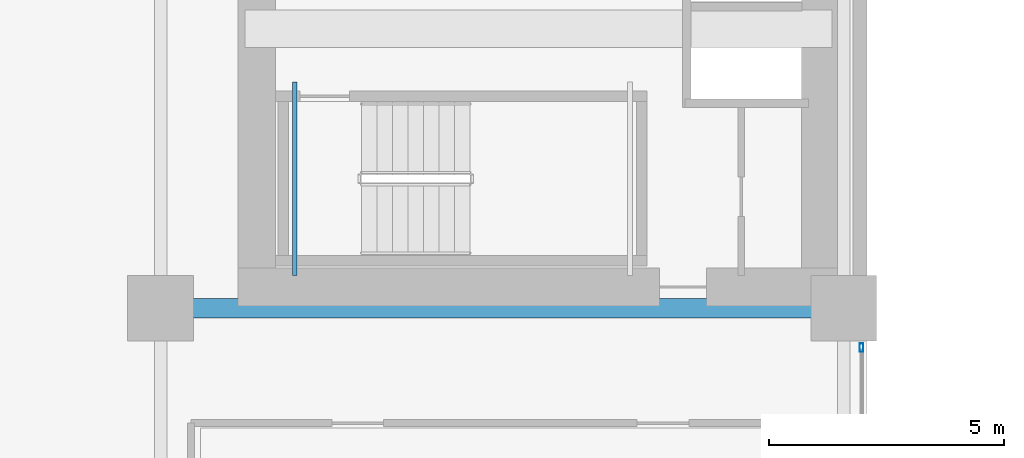
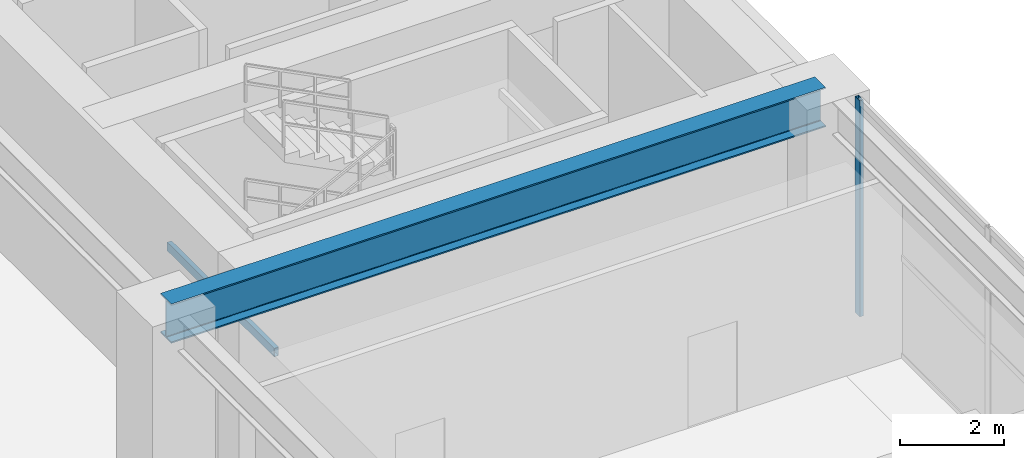
# One storey, part 6 of 29: 2 beams, 1 member, 1 element without a shape of its own.
"""IFC4 building model written with IfcOpenShell, lengths in metres."""

from ifc_helpers import new_model, si_unit, direction, frame, origin, origin_2d, place, context, subcontext, project, spatial, hollow_rectangle, i_section, extrude, source, transform, mapped, material, layer, layer_set, material_profile, profile_set, type_object, element, aggregate, save


model = new_model("IFC4")

# Units and contexts
model_context = context("Model", 3, precision=1e-05, world=origin(), true_north=direction((0.0, 1.0)))
body_context = subcontext(model_context, "Body", "Model", "MODEL_VIEW")
ifc_project = project(units=[si_unit("LENGTHUNIT", "METRE"), si_unit("AREAUNIT", "SQUARE_METRE"), si_unit("VOLUMEUNIT", "CUBIC_METRE"), si_unit("PLANEANGLEUNIT", "RADIAN"), si_unit("MASSUNIT", "GRAM", prefix="KILO")], contexts=[model_context])

# Site, building, storey
site_placement = place(None, origin())
site = spatial("IfcSite", under=ifc_project, at=site_placement, CompositionType="ELEMENT")
building_placement = place(site_placement, origin())
building = spatial("IfcBuilding", under=site, at=building_placement, Name="Ocotamira Hotel", CompositionType="ELEMENT")
storey_placement = place(building_placement, frame((0.0, 0.0, 6.0)))
storey = spatial("IfcBuildingStorey", under=building, at=storey_placement, Name="L02", CompositionType="ELEMENT", Elevation=6.0)

# Beams
ifc_material_1 = material(Name="Steel ASTM A500 Grade C", Category="steel")
ifc_material_profile_1 = material_profile(ifc_material_1, hollow_rectangle(XDim=0.10009765625, YDim=0.199951171875, WallThickness=0.008056640625, at=origin_2d()), Name="HSS200X100X8")
ifc_profile_set_1 = profile_set([ifc_material_profile_1], Name="Steel ASTM A500 Grade C")
beam_type_1 = type_object("IfcBeamType", Name="BM-STLDG-HSS200", PredefinedType="BEAM", material=ifc_profile_set_1)
shared_shape_1 = source(origin(), body_context, "Body", "SweptSolid", [
    extrude(hollow_rectangle(XDim=0.10009765625, YDim=0.199951171875, WallThickness=0.008056640625, at=origin_2d()), origin(), (0.0, 0.0, 1.0), 4.1201171875),
])
beam_1_placement = place(storey_placement, frame((11.81005859375, 15.25, 2.39990234375), z_axis=(0.0, 1.0, 0.0), x_axis=(-1.0, 0.0, 0.0)))
element("IfcBeam", 1, at=beam_1_placement, inside=storey, type_object=beam_type_1, Name="L02 Stair ST-1 Landing Bearer 2", PredefinedType="BEAM", context=body_context, shape_type="MappedRepresentation", body=[
    mapped(shared_shape_1, transform((0.0, 0.0, 0.0), scale=1.0)),
])
ifc_material_2 = material(Name="Steel ASTM A992 Grade 50", Category="steel")
ifc_material_profile_2 = material_profile(ifc_material_2, i_section(OverallWidth=0.41796875, OverallDepth=0.927001953125, WebThickness=0.019287109375, FlangeThickness=0.031982421875, FilletRadius=0.02392578125, at=origin_2d()), Name="W36X231")
ifc_profile_set_2 = profile_set([ifc_material_profile_2], Name="Steel ASTM A992 Grade 50")
beam_type_2 = type_object("IfcBeamType", Name="BM-GIRD-W36X231", PredefinedType="BEAM", material=ifc_profile_set_2)
shared_shape_2 = source(origin(), body_context, "Body", "SweptSolid", [
    extrude(i_section(OverallWidth=0.41796875, OverallDepth=0.927001953125, WebThickness=0.019287109375, FlangeThickness=0.031982421875, FilletRadius=0.02392578125, at=origin_2d()), origin(), (0.0, 0.0, 1.0), 14.550048828125),
])
beam_2_placement = place(storey_placement, frame((8.949951171875, 14.550048828125, 4.616455078125), z_axis=(1.0, 0.0, 0.0), x_axis=(0.0, 1.0, 0.0)))
element("IfcBeam", 2, at=beam_2_placement, inside=storey, type_object=beam_type_2, Name="L02 Girder Y14.55 X8.95-23.5", PredefinedType="BEAM", context=body_context, shape_type="MappedRepresentation", body=[
    mapped(shared_shape_2, transform((0.0, 0.0, 0.0), scale=1.0)),
])

# Curtain wall, member
ifc_material_3 = material(Name="Anodised pale-metal aluminium and solar glass", Category="aluminium")
ifc_layer = layer(ifc_material_3, 0.219970703125)
ifc_layer_set = layer_set([ifc_layer], Name="Anodised pale-metal aluminium and solar glass")
curtain_wall_type = type_object("IfcCurtainWallType", Name="CW-SYS1-POD", PredefinedType="NOTDEFINED", material=ifc_layer_set)
curtain_wall_placement = place(storey_placement, origin())
curtain_wall = element("IfcCurtainWall", 3, at=curtain_wall_placement, inside=storey, type_object=curtain_wall_type, Name="L02 Curtain Wall CW-1 CW-L02-AW-S", PredefinedType="NOTDEFINED")
ifc_material_4 = material(Name="Anodised pale-metal aluminium 6063-T6", Category="aluminium")
ifc_material_profile_3 = material_profile(ifc_material_4, hollow_rectangle(XDim=0.080078125, YDim=0.179931640625, WallThickness=0.006103515625, at=origin_2d()), Name="HSS180X80X6")
ifc_profile_set_3 = profile_set([ifc_material_profile_3], Name="Anodised pale-metal aluminium 6063-T6")
member_type = type_object("IfcMemberType", Name="CWM-180X75", PredefinedType="MULLION", material=ifc_profile_set_3)
shared_shape_3 = source(origin(), body_context, "Body", "SweptSolid", [
    extrude(hollow_rectangle(XDim=0.080078125, YDim=0.179931640625, WallThickness=0.006103515625, at=origin_2d()), origin(), (0.0, 0.0, 1.0), 5.080078125),
])
member_placement = place(storey_placement, frame((23.8798828125, 13.7099609375, 0.0), z_axis=(0.0, 0.0, 1.0), x_axis=(-1.0, 0.0, 0.0)))
member = element("IfcMember", 4, at=member_placement, type_object=member_type, Name="CW-1 mullion 3", PredefinedType="MULLION", context=body_context, shape_type="MappedRepresentation", body=[
    mapped(shared_shape_3, transform((0.0, 0.0, 0.0), scale=1.0)),
])
aggregate(curtain_wall, [member])

save(model, "model.ifc")
